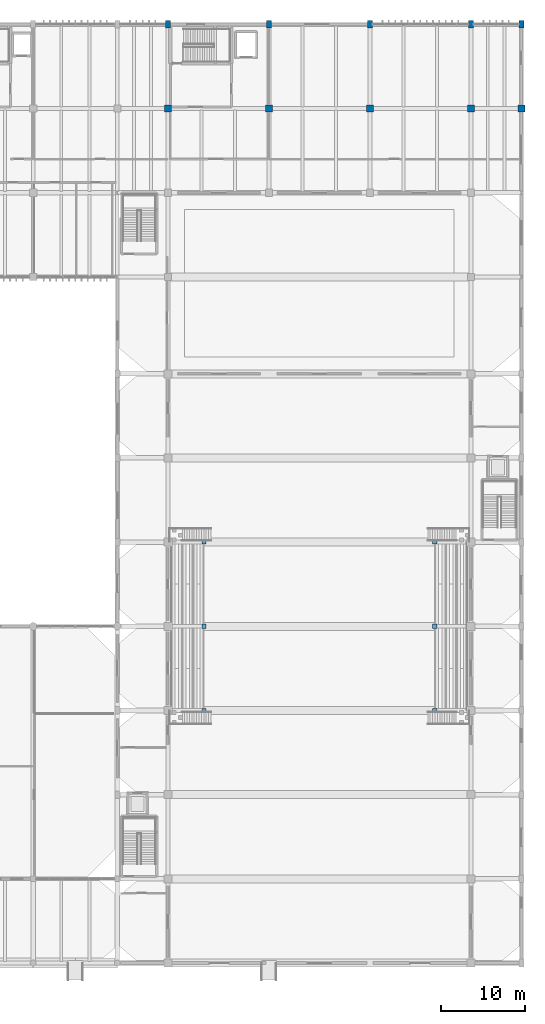
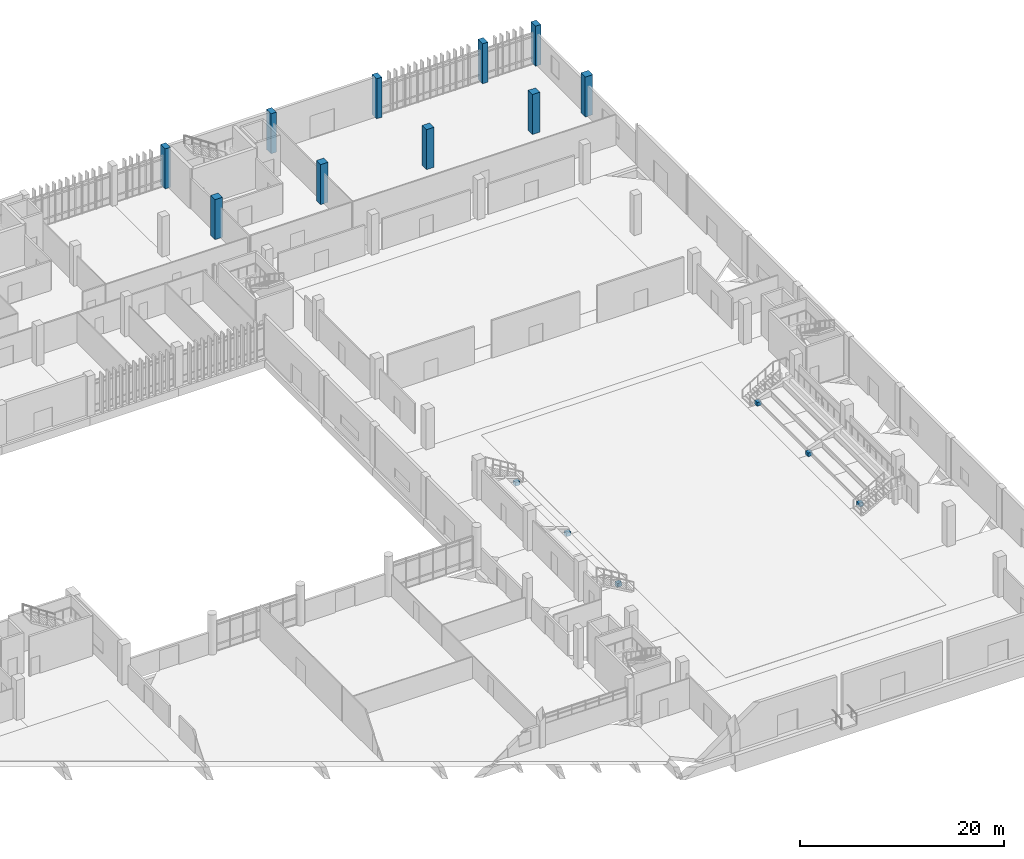
# One storey, part 5 of 87: 16 columns.
"""IFC4 building model written with IfcOpenShell, lengths in metres."""

from ifc_helpers import new_model, si_unit, direction, frame, origin, origin_2d, place, context, subcontext, project, spatial, rectangle, extrude, material, material_profile, profile_set, type_object, element, save


model = new_model("IFC4")

# Units and contexts
model_context = context("Model", 3, precision=1e-05, world=origin(), true_north=direction((0.0, 1.0)))
body_context = subcontext(model_context, "Body", "Model", "MODEL_VIEW")
ifc_project = project(units=[si_unit("LENGTHUNIT", "METRE"), si_unit("AREAUNIT", "SQUARE_METRE"), si_unit("VOLUMEUNIT", "CUBIC_METRE"), si_unit("PLANEANGLEUNIT", "RADIAN"), si_unit("MASSUNIT", "GRAM", prefix="KILO")], contexts=[model_context])

# Site, building, storey
site_placement = place(None, origin())
site = spatial("IfcSite", under=ifc_project, at=site_placement, CompositionType="ELEMENT")
building_placement = place(site_placement, origin())
building = spatial("IfcBuilding", under=site, at=building_placement, Name="Mersad Railyard Sports Hall", CompositionType="ELEMENT")
storey_placement = place(building_placement, origin())
storey = spatial("IfcBuildingStorey", under=building, at=storey_placement, Name="L00", CompositionType="ELEMENT", Elevation=0.0)

# Columns
ifc_material_1 = material(Name="Concrete C50/60", Category="concrete")
ifc_material_profile_1 = material_profile(ifc_material_1, rectangle(XDim=0.85009765625, YDim=0.85009765625, at=origin_2d()), Name="RC 850x850")
ifc_profile_set_1 = profile_set([ifc_material_profile_1], Name="Concrete C50/60")
column_type_1 = type_object("IfcColumnType", Name="STR-COL-C02", PredefinedType="COLUMN", material=ifc_profile_set_1)
for number, where, z_axis, x_axis, name in (
    (1, (137.0, 105.0, 0.0), (0.0, 0.0, 1.0), (1.0, 0.0, 0.0), "Column C02 L00 (137.0,105.0)"),
    (2, (149.0, 105.0, 0.0), (0.0, 0.0, 1.0), (1.0, 0.0, 0.0), "Column C02 L00 (149.0,105.0)"),
    (3, (161.0, 105.0, 0.0), (0.0, 0.0, 1.0), (1.0, 0.0, 0.0), "Column C02 L00 (161.0,105.0)"),
    (4, (173.0, 105.0, 0.0), (0.0, 0.0, 1.0), (1.0, 0.0, 0.0), "Column C02 L00 (173.0,105.0)"),
    (5, (179.0, 105.0, 0.0), (0.0, 0.0, 1.0), (1.0, 0.0, 0.0), "Column C02 L00 (179.0,105.0)"),
):
    element("IfcColumn", number, at=place(storey_placement, frame(where, z_axis=z_axis, x_axis=x_axis)), inside=storey, type_object=column_type_1, Name=name, PredefinedType="COLUMN", context=body_context, shape_type="SweptSolid", body=[
        extrude(rectangle(XDim=0.85009765625, YDim=0.85009765625, at=origin_2d()), origin(), (0.0, 0.0, 1.0), 4.800048828125),
    ])
ifc_material_profile_2 = material_profile(ifc_material_1, rectangle(XDim=0.60009765625, YDim=0.89990234375, at=origin_2d()), Name="RC 600x900")
ifc_profile_set_2 = profile_set([ifc_material_profile_2], Name="Concrete C50/60")
column_type_2 = type_object("IfcColumnType", Name="STR-COL-C07", PredefinedType="COLUMN", material=ifc_profile_set_2)
for number, where, z_axis, x_axis, name in (
    (6, (137.0, 115.0, 0.0), (0.0, 0.0, 1.0), (1.0, 0.0, 0.0), "Column C07 L00 (137.0,115.0)"),
    (7, (149.0, 115.0, 0.0), (0.0, 0.0, 1.0), (1.0, 0.0, 0.0), "Column C07 L00 (149.0,115.0)"),
    (8, (161.0, 115.0, 0.0), (0.0, 0.0, 1.0), (1.0, 0.0, 0.0), "Column C07 L00 (161.0,115.0)"),
    (9, (173.0, 115.0, 0.0), (0.0, 0.0, 1.0), (1.0, 0.0, 0.0), "Column C07 L00 (173.0,115.0)"),
    (10, (179.0, 115.0, 0.0), (0.0, 0.0, 1.0), (1.0, 0.0, 0.0), "Column C07 L00 (179.0,115.0)"),
):
    element("IfcColumn", number, at=place(storey_placement, frame(where, z_axis=z_axis, x_axis=x_axis)), inside=storey, type_object=column_type_2, Name=name, PredefinedType="COLUMN", context=body_context, shape_type="SweptSolid", body=[
        extrude(rectangle(XDim=0.60009765625, YDim=0.89990234375, at=origin_2d()), origin(), (0.0, 0.0, 1.0), 4.800048828125),
    ])
ifc_material_2 = material(Name="Concrete C40/50", Category="concrete")
ifc_material_profile_3 = material_profile(ifc_material_2, rectangle(XDim=0.5, YDim=0.5, at=origin_2d()), Name="RC 500x500")
ifc_profile_set_3 = profile_set([ifc_material_profile_3], Name="Concrete C40/50")
column_type_3 = type_object("IfcColumnType", Name="STR-COL-CP01", PredefinedType="COLUMN", material=ifc_profile_set_3)
for number, where, z_axis, x_axis, name in (
    (11, (141.300048828125, 33.5, 0.0), (0.0, 0.0, 1.0), (1.0, 0.0, 0.0), "Stand raker front pedestal CP01 (141.3,33.5)"),
    (12, (168.699951171875, 33.5, 0.0), (0.0, 0.0, 1.0), (1.0, 0.0, 0.0), "Stand raker front pedestal CP01 (168.7,33.5)"),
    (13, (141.300048828125, 43.5, 0.0), (0.0, 0.0, 1.0), (1.0, 0.0, 0.0), "Stand raker front pedestal CP01 (141.3,43.5)"),
    (14, (168.699951171875, 43.5, 0.0), (0.0, 0.0, 1.0), (1.0, 0.0, 0.0), "Stand raker front pedestal CP01 (168.7,43.5)"),
    (15, (141.300048828125, 53.5, 0.0), (0.0, 0.0, 1.0), (1.0, 0.0, 0.0), "Stand raker front pedestal CP01 (141.3,53.5)"),
    (16, (168.699951171875, 53.5, 0.0), (0.0, 0.0, 1.0), (1.0, 0.0, 0.0), "Stand raker front pedestal CP01 (168.7,53.5)"),
):
    element("IfcColumn", number, at=place(storey_placement, frame(where, z_axis=z_axis, x_axis=x_axis)), inside=storey, type_object=column_type_3, Name=name, PredefinedType="COLUMN", context=body_context, shape_type="SweptSolid", body=[
        extrude(rectangle(XDim=0.5, YDim=0.5, at=origin_2d()), origin(), (0.0, 0.0, 1.0), 0.43994140625),
    ])

save(model, "model.ifc")
